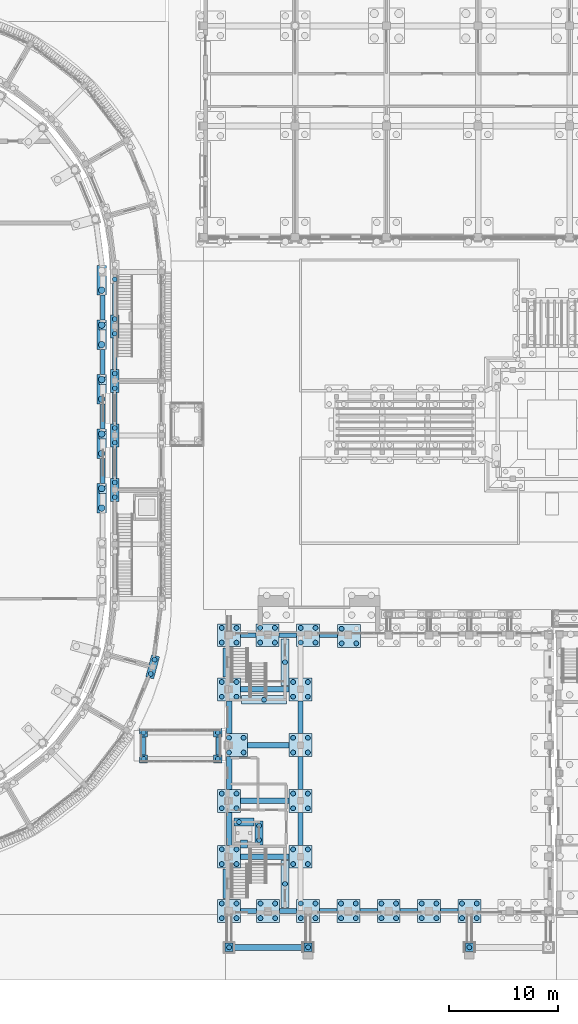
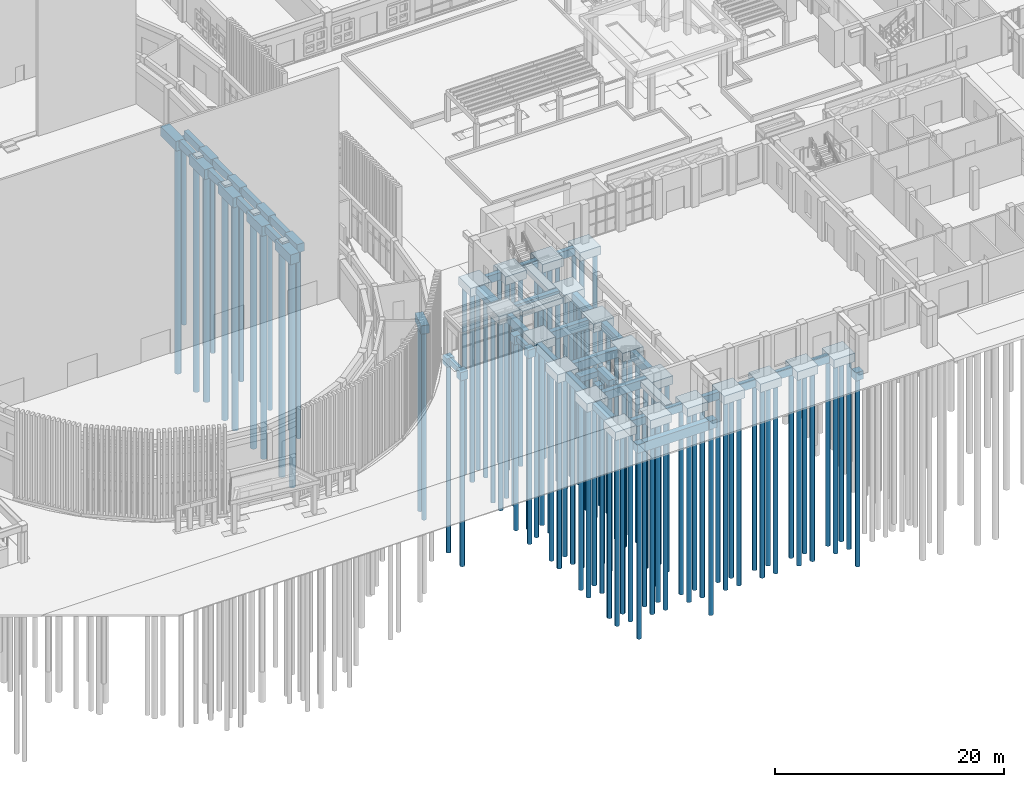
# One storey, part 3 of 112: 108 piles, 78 footings.
"""IFC4 building model written with IfcOpenShell, lengths in metres."""

from ifc_helpers import new_model, si_unit, direction, frame, origin, origin_2d, place, context, subcontext, project, spatial, rectangle, circle, extrude, material, material_profile, profile_set, type_object, element, save


model = new_model("IFC4")

# Units and contexts
model_context = context("Model", 3, precision=1e-05, world=origin(), true_north=direction((0.0, 1.0)))
body_context = subcontext(model_context, "Body", "Model", "MODEL_VIEW")
ifc_project = project(units=[si_unit("LENGTHUNIT", "METRE"), si_unit("AREAUNIT", "SQUARE_METRE"), si_unit("VOLUMEUNIT", "CUBIC_METRE"), si_unit("PLANEANGLEUNIT", "RADIAN"), si_unit("MASSUNIT", "GRAM", prefix="KILO")], contexts=[model_context])

# Site, building, storey
site_placement = place(None, origin())
site = spatial("IfcSite", under=ifc_project, at=site_placement, CompositionType="ELEMENT")
building_placement = place(site_placement, origin())
building = spatial("IfcBuilding", under=site, at=building_placement, Name="Wasatch Bagh Community Centre", CompositionType="ELEMENT")
storey_placement = place(building_placement, origin())
storey = spatial("IfcBuildingStorey", under=building, at=storey_placement, Name="L00", CompositionType="ELEMENT", Elevation=0.0)

# Footings
ifc_material_1 = material(Name="Concrete C35", Category="concrete")
footing_type_1 = type_object("IfcFootingType", Name="FD-GB-B", PredefinedType="FOOTING_BEAM", material=ifc_material_1)
footing_1_placement = place(storey_placement, frame((68.125, 6.35009765625, -1.0), z_axis=(0.0, 0.0, 1.0), x_axis=(1.0, 0.0, 0.0)))
element("IfcFooting", 1, at=footing_1_placement, inside=storey, type_object=footing_type_1, Name="GB ground beam 44", PredefinedType="FOOTING_BEAM", context=body_context, shape_type="SweptSolid", body=[
    extrude(rectangle(XDim=1.449951171875, YDim=0.449951171875, at=origin_2d()), origin(), (0.0, 0.0, 1.0), 0.800048828125),
])
for number, where, z_axis, x_axis, name in (
    (2, (71.75, 6.35009765625, -1.0), (0.0, 0.0, 1.0), (1.0, 0.0, 0.0), "GB ground beam 45"),
    (3, (75.449951171875, 6.35009765625, -1.0), (0.0, 0.0, 1.0), (1.0, 0.0, 0.0), "GB ground beam 46"),
    (4, (79.14990234375, 6.35009765625, -1.0), (0.0, 0.0, 1.0), (1.0, 0.0, 0.0), "GB ground beam 47"),
    (5, (82.85009765625, 6.35009765625, -1.0), (0.0, 0.0, 1.0), (1.0, 0.0, 0.0), "GB ground beam 48"),
    (6, (86.550048828125, 6.35009765625, -1.0), (0.0, 0.0, 1.0), (1.0, 0.0, 0.0), "GB ground beam 49"),
):
    element("IfcFooting", number, at=place(storey_placement, frame(where, z_axis=z_axis, x_axis=x_axis)), inside=storey, type_object=footing_type_1, Name=name, PredefinedType="FOOTING_BEAM", context=body_context, shape_type="SweptSolid", body=[
        extrude(rectangle(XDim=1.60009765625, YDim=0.449951171875, at=origin_2d()), origin(), (0.0, 0.0, 1.0), 0.800048828125),
    ])
footing_2_placement = place(storey_placement, frame((68.112548828125, 31.64990234375, -1.0), z_axis=(0.0, 0.0, 1.0), x_axis=(1.0, 0.0, 0.0)))
element("IfcFooting", 7, at=footing_2_placement, inside=storey, type_object=footing_type_1, Name="GB ground beam 52", PredefinedType="FOOTING_BEAM", context=body_context, shape_type="SweptSolid", body=[
    extrude(rectangle(XDim=1.425048828125, YDim=0.449951171875, at=origin_2d()), origin(), (0.0, 0.0, 1.0), 0.800048828125),
])
footing_3_placement = place(storey_placement, frame((71.737548828125, 31.64990234375, -1.0), z_axis=(0.0, 0.0, 1.0), x_axis=(-1.0, 0.0, 0.0)))
element("IfcFooting", 8, at=footing_3_placement, inside=storey, type_object=footing_type_1, Name="GB ground beam 53", PredefinedType="FOOTING_BEAM", context=body_context, shape_type="SweptSolid", body=[
    extrude(rectangle(XDim=1.625, YDim=0.449951171875, at=origin_2d()), origin(), (0.0, 0.0, 1.0), 0.800048828125),
])
footing_4_placement = place(storey_placement, frame((75.47509765625, 31.64990234375, -1.0), z_axis=(0.0, 0.0, 1.0), x_axis=(1.0, 0.0, 0.0)))
element("IfcFooting", 9, at=footing_4_placement, inside=storey, type_object=footing_type_1, Name="GB ground beam 54", PredefinedType="FOOTING_BEAM", context=body_context, shape_type="SweptSolid", body=[
    extrude(rectangle(XDim=1.64990234375, YDim=0.449951171875, at=origin_2d()), origin(), (0.0, 0.0, 1.0), 0.800048828125),
])
for number, where, z_axis, x_axis, name in (
    (10, (55.85009765625, 47.5, -1.0), (0.0, 0.0, 1.0), (0.0, 1.0, 0.0), "GB ground beam 78"),
    (11, (55.85009765625, 52.5, -1.0), (0.0, 0.0, 1.0), (0.0, 1.0, 0.0), "GB ground beam 80"),
    (12, (55.85009765625, 57.5, -1.0), (0.0, 0.0, 1.0), (0.0, 1.0, 0.0), "GB ground beam 82"),
    (13, (55.85009765625, 62.5, -1.0), (0.0, 0.0, 1.0), (0.0, 1.0, 0.0), "GB ground beam 84"),
):
    element("IfcFooting", number, at=place(storey_placement, frame(where, z_axis=z_axis, x_axis=x_axis)), inside=storey, type_object=footing_type_1, Name=name, PredefinedType="FOOTING_BEAM", context=body_context, shape_type="SweptSolid", body=[
        extrude(rectangle(XDim=2.89990234375, YDim=0.449951171875, at=origin_2d()), origin(), (0.0, 0.0, 1.0), 0.800048828125),
    ])
for number, where, z_axis, x_axis, name in (
    (14, (54.75, 46.72509765625, -1.0), (0.0, 0.0, 1.0), (0.0, 1.0, 0.0), "GB ground beam 227"),
    (15, (54.75, 51.72509765625, -1.0), (0.0, 0.0, 1.0), (0.0, 1.0, 0.0), "GB ground beam 228"),
    (16, (54.75, 56.72509765625, -1.0), (0.0, 0.0, 1.0), (0.0, 1.0, 0.0), "GB ground beam 229"),
    (17, (54.75, 61.72509765625, -1.0), (0.0, 0.0, 1.0), (0.0, 1.0, 0.0), "GB ground beam 230"),
):
    element("IfcFooting", number, at=place(storey_placement, frame(where, z_axis=z_axis, x_axis=x_axis)), inside=storey, type_object=footing_type_1, Name=name, PredefinedType="FOOTING_BEAM", context=body_context, shape_type="SweptSolid", body=[
        extrude(rectangle(XDim=2.300048828125, YDim=0.449951171875, at=origin_2d()), origin(), (0.0, 0.0, 1.0), 0.800048828125),
    ])
footing_type_2 = type_object("IfcFootingType", Name="FD-GB-C", PredefinedType="FOOTING_BEAM", material=ifc_material_1)
footing_5_placement = place(storey_placement, frame((66.35009765625, 13.8798828125, -1.099853515625), z_axis=(0.0, 0.0, 1.0), x_axis=(0.0, 1.0, 0.0)))
element("IfcFooting", 18, at=footing_5_placement, inside=storey, type_object=footing_type_2, Name="GB ground beam 60", PredefinedType="FOOTING_BEAM", context=body_context, shape_type="SweptSolid", body=[
    extrude(rectangle(XDim=3.02001953125, YDim=0.5, at=origin_2d()), origin(), (0.0, 0.0, 1.0), 0.89990234375),
])
for number, where, z_axis, x_axis, name in (
    (19, (69.625, 11.320068359375, -1.099853515625), (0.0, 0.0, 1.0), (1.0, 0.0, 0.0), "GB ground beam 61"),
    (20, (69.625, 16.43994140625, -1.099853515625), (0.0, 0.0, 1.0), (1.0, 0.0, 0.0), "GB ground beam 62"),
):
    element("IfcFooting", number, at=place(storey_placement, frame(where, z_axis=z_axis, x_axis=x_axis)), inside=storey, type_object=footing_type_2, Name=name, PredefinedType="FOOTING_BEAM", context=body_context, shape_type="SweptSolid", body=[
        extrude(rectangle(XDim=4.449951171875, YDim=0.5, at=origin_2d()), origin(), (0.0, 0.0, 1.0), 0.89990234375),
    ])
footing_6_placement = place(storey_placement, frame((66.35009765625, 19.0, -1.099853515625), z_axis=(0.0, 0.0, 1.0), x_axis=(0.0, 1.0, 0.0)))
element("IfcFooting", 21, at=footing_6_placement, inside=storey, type_object=footing_type_2, Name="GB ground beam 63", PredefinedType="FOOTING_BEAM", context=body_context, shape_type="SweptSolid", body=[
    extrude(rectangle(XDim=3.02001953125, YDim=0.5, at=origin_2d()), origin(), (0.0, 0.0, 1.0), 0.89990234375),
])
footing_7_placement = place(storey_placement, frame((69.625, 26.679931640625, -1.099853515625), z_axis=(0.0, 0.0, 1.0), x_axis=(1.0, 0.0, 0.0)))
element("IfcFooting", 22, at=footing_7_placement, inside=storey, type_object=footing_type_2, Name="GB ground beam 64", PredefinedType="FOOTING_BEAM", context=body_context, shape_type="SweptSolid", body=[
    extrude(rectangle(XDim=4.449951171875, YDim=0.5, at=origin_2d()), origin(), (0.0, 0.0, 1.0), 0.89990234375),
])
for number, where, z_axis, x_axis, name in (
    (23, (66.35009765625, 24.1201171875, -1.099853515625), (0.0, 0.0, 1.0), (0.0, -1.0, 0.0), "GB ground beam 65"),
    (24, (72.89990234375, 13.8798828125, -1.099853515625), (0.0, 0.0, 1.0), (0.0, 1.0, 0.0), "GB ground beam 66"),
    (25, (72.89990234375, 19.0, -1.099853515625), (0.0, 0.0, 1.0), (0.0, 1.0, 0.0), "GB ground beam 67"),
    (26, (72.89990234375, 24.1201171875, -1.099853515625), (0.0, 0.0, 1.0), (0.0, 1.0, 0.0), "GB ground beam 68"),
):
    element("IfcFooting", number, at=place(storey_placement, frame(where, z_axis=z_axis, x_axis=x_axis)), inside=storey, type_object=footing_type_2, Name=name, PredefinedType="FOOTING_BEAM", context=body_context, shape_type="SweptSolid", body=[
        extrude(rectangle(XDim=3.02001953125, YDim=0.5, at=origin_2d()), origin(), (0.0, 0.0, 1.0), 0.89990234375),
    ])
footing_8_placement = place(storey_placement, frame((69.949951171875, 21.56005859375, -1.099853515625), z_axis=(0.0, 0.0, 1.0), x_axis=(-1.0, 0.0, 0.0)))
element("IfcFooting", 27, at=footing_8_placement, inside=storey, type_object=footing_type_2, Name="GB ground beam 69", PredefinedType="FOOTING_BEAM", context=body_context, shape_type="SweptSolid", body=[
    extrude(rectangle(XDim=3.800048828125, YDim=0.5, at=origin_2d()), origin(), (0.0, 0.0, 1.0), 0.89990234375),
])
footing_type_3 = type_object("IfcFootingType", Name="FD-GB-D", PredefinedType="FOOTING_BEAM", material=ifc_material_1)
footing_9_placement = place(storey_placement, frame((69.97509765625, 3.0, -1.199951171875), z_axis=(0.0, 0.0, 1.0), x_axis=(1.0, 0.0, 0.0)))
element("IfcFooting", 28, at=footing_9_placement, inside=storey, type_object=footing_type_3, Name="GB ground beam 10", PredefinedType="FOOTING_BEAM", context=body_context, shape_type="SweptSolid", body=[
    extrude(rectangle(XDim=6.5, YDim=0.550048828125, at=origin_2d()), origin(), (0.0, 0.0, 1.0), 1.0),
])
footing_type_4 = type_object("IfcFootingType", Name="FD-GB-S", PredefinedType="FOOTING_BEAM", material=ifc_material_1)
for number, where, z_axis, x_axis, name in (
    (29, (58.5, 21.5, -0.800048828125), (0.0, 0.0, 1.0), (0.0, 1.0, 0.0), "GB ground beam 262"),
    (30, (65.300048828125, 21.5, -0.800048828125), (0.0, 0.0, 1.0), (0.0, 1.0, 0.0), "GB ground beam 263"),
):
    element("IfcFooting", number, at=place(storey_placement, frame(where, z_axis=z_axis, x_axis=x_axis)), inside=storey, type_object=footing_type_4, Name=name, PredefinedType="FOOTING_BEAM", context=body_context, shape_type="SweptSolid", body=[
        extrude(rectangle(XDim=1.64990234375, YDim=0.35009765625, at=origin_2d()), origin(), (0.0, 0.0, 1.0), 0.60009765625),
    ])

# Piles
ifc_material_2 = material(Name="Concrete C30", Category="concrete")
ifc_material_profile_1 = material_profile(ifc_material_2, circle(Radius=0.22509765625, at=origin_2d()), Name="RC D450")
ifc_profile_set_1 = profile_set([ifc_material_profile_1], Name="Concrete C30")
pile_type_1 = type_object("IfcPileType", Name="FD-P450", PredefinedType="BORED", material=ifc_profile_set_1)
for number, where, z_axis, x_axis, name in (
    (31, (66.35009765625, 3.0, -1.10009765625), (0.0, 0.0, -1.0), (1.0, 0.0, 0.0), "P pile 1.1"),
    (32, (73.60009765625, 3.0, -1.10009765625), (0.0, 0.0, -1.0), (1.0, 0.0, 0.0), "P pile 2.1"),
    (33, (88.39990234375, 3.0, -1.10009765625), (0.0, 0.0, -1.0), (1.0, 0.0, 0.0), "P pile 3.1"),
    (34, (65.675048828125, 5.675048828125, -1.10009765625), (0.0, 0.0, -1.0), (1.0, 0.0, 0.0), "P pile 49.1"),
    (35, (67.02490234375, 5.675048828125, -1.10009765625), (0.0, 0.0, -1.0), (1.0, 0.0, 0.0), "P pile 49.2"),
    (36, (65.675048828125, 7.02490234375, -1.10009765625), (0.0, 0.0, -1.0), (1.0, 0.0, 0.0), "P pile 49.3"),
    (37, (67.02490234375, 7.02490234375, -1.10009765625), (0.0, 0.0, -1.0), (1.0, 0.0, 0.0), "P pile 49.4"),
    (38, (69.22509765625, 5.675048828125, -1.10009765625), (0.0, 0.0, -1.0), (1.0, 0.0, 0.0), "P pile 50.1"),
    (39, (70.574951171875, 5.675048828125, -1.10009765625), (0.0, 0.0, -1.0), (1.0, 0.0, 0.0), "P pile 50.2"),
    (40, (69.22509765625, 7.02490234375, -1.10009765625), (0.0, 0.0, -1.0), (1.0, 0.0, 0.0), "P pile 50.3"),
    (41, (70.574951171875, 7.02490234375, -1.10009765625), (0.0, 0.0, -1.0), (1.0, 0.0, 0.0), "P pile 50.4"),
    (42, (72.925048828125, 5.675048828125, -1.10009765625), (0.0, 0.0, -1.0), (1.0, 0.0, 0.0), "P pile 51.1"),
    (43, (74.27490234375, 5.675048828125, -1.10009765625), (0.0, 0.0, -1.0), (1.0, 0.0, 0.0), "P pile 51.2"),
    (44, (72.925048828125, 7.02490234375, -1.10009765625), (0.0, 0.0, -1.0), (1.0, 0.0, 0.0), "P pile 51.3"),
    (45, (74.27490234375, 7.02490234375, -1.10009765625), (0.0, 0.0, -1.0), (1.0, 0.0, 0.0), "P pile 51.4"),
    (46, (76.625, 5.675048828125, -1.10009765625), (0.0, 0.0, -1.0), (1.0, 0.0, 0.0), "P pile 52.1"),
    (47, (77.97509765625, 5.675048828125, -1.10009765625), (0.0, 0.0, -1.0), (1.0, 0.0, 0.0), "P pile 52.2"),
    (48, (76.625, 7.02490234375, -1.10009765625), (0.0, 0.0, -1.0), (1.0, 0.0, 0.0), "P pile 52.3"),
    (49, (77.97509765625, 7.02490234375, -1.10009765625), (0.0, 0.0, -1.0), (1.0, 0.0, 0.0), "P pile 52.4"),
    (50, (80.324951171875, 5.675048828125, -1.10009765625), (0.0, 0.0, -1.0), (1.0, 0.0, 0.0), "P pile 53.1"),
    (51, (81.675048828125, 5.675048828125, -1.10009765625), (0.0, 0.0, -1.0), (1.0, 0.0, 0.0), "P pile 53.2"),
    (52, (80.324951171875, 7.02490234375, -1.10009765625), (0.0, 0.0, -1.0), (1.0, 0.0, 0.0), "P pile 53.3"),
    (53, (81.675048828125, 7.02490234375, -1.10009765625), (0.0, 0.0, -1.0), (1.0, 0.0, 0.0), "P pile 53.4"),
    (54, (84.02490234375, 5.675048828125, -1.10009765625), (0.0, 0.0, -1.0), (1.0, 0.0, 0.0), "P pile 54.1"),
    (55, (85.375, 5.675048828125, -1.10009765625), (0.0, 0.0, -1.0), (1.0, 0.0, 0.0), "P pile 54.2"),
    (56, (84.02490234375, 7.02490234375, -1.10009765625), (0.0, 0.0, -1.0), (1.0, 0.0, 0.0), "P pile 54.3"),
    (57, (85.375, 7.02490234375, -1.10009765625), (0.0, 0.0, -1.0), (1.0, 0.0, 0.0), "P pile 54.4"),
    (58, (87.72509765625, 5.675048828125, -1.10009765625), (0.0, 0.0, -1.0), (1.0, 0.0, 0.0), "P pile 55.1"),
    (59, (89.074951171875, 5.675048828125, -1.10009765625), (0.0, 0.0, -1.0), (1.0, 0.0, 0.0), "P pile 55.2"),
    (60, (87.72509765625, 7.02490234375, -1.10009765625), (0.0, 0.0, -1.0), (1.0, 0.0, 0.0), "P pile 55.3"),
    (61, (89.074951171875, 7.02490234375, -1.10009765625), (0.0, 0.0, -1.0), (1.0, 0.0, 0.0), "P pile 55.4"),
    (62, (65.675048828125, 10.64501953125, -1.10009765625), (0.0, 0.0, -1.0), (1.0, 0.0, 0.0), "P pile 58.1"),
    (63, (67.02490234375, 10.64501953125, -1.10009765625), (0.0, 0.0, -1.0), (1.0, 0.0, 0.0), "P pile 58.2"),
    (64, (65.675048828125, 11.9951171875, -1.10009765625), (0.0, 0.0, -1.0), (1.0, 0.0, 0.0), "P pile 58.3"),
    (65, (67.02490234375, 11.9951171875, -1.10009765625), (0.0, 0.0, -1.0), (1.0, 0.0, 0.0), "P pile 58.4"),
    (66, (72.22509765625, 10.64501953125, -1.10009765625), (0.0, 0.0, -1.0), (1.0, 0.0, 0.0), "P pile 59.1"),
    (67, (73.574951171875, 10.64501953125, -1.10009765625), (0.0, 0.0, -1.0), (1.0, 0.0, 0.0), "P pile 59.2"),
    (68, (72.22509765625, 11.9951171875, -1.10009765625), (0.0, 0.0, -1.0), (1.0, 0.0, 0.0), "P pile 59.3"),
    (69, (73.574951171875, 11.9951171875, -1.10009765625), (0.0, 0.0, -1.0), (1.0, 0.0, 0.0), "P pile 59.4"),
    (70, (65.675048828125, 15.764892578125, -1.10009765625), (0.0, 0.0, -1.0), (1.0, 0.0, 0.0), "P pile 61.1"),
    (71, (67.02490234375, 15.764892578125, -1.10009765625), (0.0, 0.0, -1.0), (1.0, 0.0, 0.0), "P pile 61.2"),
    (72, (65.675048828125, 17.114990234375, -1.10009765625), (0.0, 0.0, -1.0), (1.0, 0.0, 0.0), "P pile 61.3"),
    (73, (67.02490234375, 17.114990234375, -1.10009765625), (0.0, 0.0, -1.0), (1.0, 0.0, 0.0), "P pile 61.4"),
    (74, (72.22509765625, 15.764892578125, -1.10009765625), (0.0, 0.0, -1.0), (1.0, 0.0, 0.0), "P pile 62.1"),
    (75, (73.574951171875, 15.764892578125, -1.10009765625), (0.0, 0.0, -1.0), (1.0, 0.0, 0.0), "P pile 62.2"),
    (76, (72.22509765625, 17.114990234375, -1.10009765625), (0.0, 0.0, -1.0), (1.0, 0.0, 0.0), "P pile 62.3"),
    (77, (73.574951171875, 17.114990234375, -1.10009765625), (0.0, 0.0, -1.0), (1.0, 0.0, 0.0), "P pile 62.4"),
    (78, (66.324951171875, 20.885009765625, -1.10009765625), (0.0, 0.0, -1.0), (1.0, 0.0, 0.0), "P pile 64.1"),
    (79, (67.675048828125, 20.885009765625, -1.10009765625), (0.0, 0.0, -1.0), (1.0, 0.0, 0.0), "P pile 64.2"),
    (80, (66.324951171875, 22.235107421875, -1.10009765625), (0.0, 0.0, -1.0), (1.0, 0.0, 0.0), "P pile 64.3"),
    (81, (67.675048828125, 22.235107421875, -1.10009765625), (0.0, 0.0, -1.0), (1.0, 0.0, 0.0), "P pile 64.4"),
    (82, (72.22509765625, 20.885009765625, -1.10009765625), (0.0, 0.0, -1.0), (1.0, 0.0, 0.0), "P pile 65.1"),
    (83, (73.574951171875, 20.885009765625, -1.10009765625), (0.0, 0.0, -1.0), (1.0, 0.0, 0.0), "P pile 65.2"),
    (84, (72.22509765625, 22.235107421875, -1.10009765625), (0.0, 0.0, -1.0), (1.0, 0.0, 0.0), "P pile 65.3"),
    (85, (73.574951171875, 22.235107421875, -1.10009765625), (0.0, 0.0, -1.0), (1.0, 0.0, 0.0), "P pile 65.4"),
    (86, (65.675048828125, 26.0048828125, -1.10009765625), (0.0, 0.0, -1.0), (1.0, 0.0, 0.0), "P pile 67.1"),
    (87, (67.02490234375, 26.0048828125, -1.10009765625), (0.0, 0.0, -1.0), (1.0, 0.0, 0.0), "P pile 67.2"),
    (88, (65.675048828125, 27.35498046875, -1.10009765625), (0.0, 0.0, -1.0), (1.0, 0.0, 0.0), "P pile 67.3"),
    (89, (67.02490234375, 27.35498046875, -1.10009765625), (0.0, 0.0, -1.0), (1.0, 0.0, 0.0), "P pile 67.4"),
    (90, (72.22509765625, 26.0048828125, -1.10009765625), (0.0, 0.0, -1.0), (1.0, 0.0, 0.0), "P pile 68.1"),
    (91, (73.574951171875, 26.0048828125, -1.10009765625), (0.0, 0.0, -1.0), (1.0, 0.0, 0.0), "P pile 68.2"),
    (92, (72.22509765625, 27.35498046875, -1.10009765625), (0.0, 0.0, -1.0), (1.0, 0.0, 0.0), "P pile 68.3"),
    (93, (73.574951171875, 27.35498046875, -1.10009765625), (0.0, 0.0, -1.0), (1.0, 0.0, 0.0), "P pile 68.4"),
    (94, (76.675048828125, 30.89990234375, -1.10009765625), (0.0, 0.0, -1.0), (1.0, 0.0, 0.0), "P pile 71.1"),
    (95, (78.02490234375, 30.89990234375, -1.10009765625), (0.0, 0.0, -1.0), (1.0, 0.0, 0.0), "P pile 71.2"),
    (96, (76.675048828125, 32.25, -1.10009765625), (0.0, 0.0, -1.0), (1.0, 0.0, 0.0), "P pile 71.3"),
    (97, (65.675048828125, 30.97509765625, -1.10009765625), (0.0, 0.0, -1.0), (1.0, 0.0, 0.0), "P pile 72.1"),
    (98, (67.02490234375, 30.97509765625, -1.10009765625), (0.0, 0.0, -1.0), (1.0, 0.0, 0.0), "P pile 72.2"),
    (99, (65.675048828125, 32.324951171875, -1.10009765625), (0.0, 0.0, -1.0), (1.0, 0.0, 0.0), "P pile 72.3"),
    (100, (67.02490234375, 32.324951171875, -1.10009765625), (0.0, 0.0, -1.0), (1.0, 0.0, 0.0), "P pile 72.4"),
    (101, (69.199951171875, 30.97509765625, -1.10009765625), (0.0, 0.0, -1.0), (1.0, 0.0, 0.0), "P pile 73.1"),
    (102, (70.550048828125, 30.97509765625, -1.10009765625), (0.0, 0.0, -1.0), (1.0, 0.0, 0.0), "P pile 73.2"),
    (103, (69.199951171875, 32.324951171875, -1.10009765625), (0.0, 0.0, -1.0), (1.0, 0.0, 0.0), "P pile 73.3"),
    (104, (70.550048828125, 32.324951171875, -1.10009765625), (0.0, 0.0, -1.0), (1.0, 0.0, 0.0), "P pile 73.4"),
    (105, (72.925048828125, 30.97509765625, -1.10009765625), (0.0, 0.0, -1.0), (1.0, 0.0, 0.0), "P pile 74.1"),
    (106, (74.27490234375, 30.97509765625, -1.10009765625), (0.0, 0.0, -1.0), (1.0, 0.0, 0.0), "P pile 74.2"),
    (107, (72.925048828125, 32.324951171875, -1.10009765625), (0.0, 0.0, -1.0), (1.0, 0.0, 0.0), "P pile 74.3"),
    (108, (74.27490234375, 32.324951171875, -1.10009765625), (0.0, 0.0, -1.0), (1.0, 0.0, 0.0), "P pile 74.4"),
    (109, (59.15234375, 28.097412109375, -1.10009765625), (0.0, 0.0, -1.0), (1.0, 0.0, 0.0), "P pile 98.1"),
    (110, (59.501708984375, 29.401611328125, -1.10009765625), (0.0, 0.0, -1.0), (1.0, 0.0, 0.0), "P pile 98.2"),
    (111, (55.85009765625, 44.324951171875, -1.10009765625), (0.0, 0.0, -1.0), (1.0, 0.0, 0.0), "P pile 111.1"),
    (112, (55.85009765625, 45.675048828125, -1.10009765625), (0.0, 0.0, -1.0), (1.0, 0.0, 0.0), "P pile 111.2"),
    (113, (55.85009765625, 49.324951171875, -1.10009765625), (0.0, 0.0, -1.0), (1.0, 0.0, 0.0), "P pile 115.1"),
    (114, (55.85009765625, 50.675048828125, -1.10009765625), (0.0, 0.0, -1.0), (1.0, 0.0, 0.0), "P pile 115.2"),
    (115, (55.85009765625, 54.324951171875, -1.10009765625), (0.0, 0.0, -1.0), (1.0, 0.0, 0.0), "P pile 119.1"),
    (116, (55.85009765625, 55.675048828125, -1.10009765625), (0.0, 0.0, -1.0), (1.0, 0.0, 0.0), "P pile 119.2"),
    (117, (55.85009765625, 59.324951171875, -1.10009765625), (0.0, 0.0, -1.0), (1.0, 0.0, 0.0), "P pile 123.1"),
    (118, (55.85009765625, 60.675048828125, -1.10009765625), (0.0, 0.0, -1.0), (1.0, 0.0, 0.0), "P pile 123.2"),
    (119, (55.85009765625, 64.324951171875, -1.10009765625), (0.0, 0.0, -1.0), (1.0, 0.0, 0.0), "P pile 127.1"),
    (120, (58.5, 20.300048828125, -1.10009765625), (0.0, 0.0, -1.0), (1.0, 0.0, 0.0), "P pile 251.1"),
    (121, (65.300048828125, 20.300048828125, -1.10009765625), (0.0, 0.0, -1.0), (1.0, 0.0, 0.0), "P pile 252.1"),
    (122, (58.5, 22.699951171875, -1.10009765625), (0.0, 0.0, -1.0), (1.0, 0.0, 0.0), "P pile 253.1"),
    (123, (65.300048828125, 22.699951171875, -1.10009765625), (0.0, 0.0, -1.0), (1.0, 0.0, 0.0), "P pile 254.1"),
    (124, (69.10009765625, 12.85009765625, -0.800048828125), (0.0, 0.0, -1.0), (1.0, 0.0, 0.0), "P pile SF5.1"),
    (125, (69.10009765625, 14.14990234375, -0.800048828125), (0.0, 0.0, -1.0), (1.0, 0.0, 0.0), "P pile SF5.2"),
    (126, (67.25, 14.5, -0.800048828125), (0.0, 0.0, -1.0), (1.0, 0.0, 0.0), "P pile SF6.1"),
    (127, (71.47509765625, 8.822509765625, -0.800048828125), (0.0, 0.0, -1.0), (1.0, 0.0, 0.0), "P pile SF8.1"),
    (128, (71.47509765625, 29.177490234375, -0.800048828125), (0.0, 0.0, -1.0), (1.0, 0.0, 0.0), "P pile SF9.1"),
    (129, (69.550048828125, 25.72509765625, -0.800048828125), (0.0, 0.0, -1.0), (1.0, 0.0, 0.0), "P pile SF10.1"),
):
    element("IfcPile", number, at=place(storey_placement, frame(where, z_axis=z_axis, x_axis=x_axis)), inside=storey, type_object=pile_type_1, Name=name, PredefinedType="BORED", context=body_context, shape_type="SweptSolid", body=[
        extrude(circle(Radius=0.22509765625, at=origin_2d()), origin(), (0.0, 0.0, 1.0), 20.0),
    ])
ifc_material_profile_2 = material_profile(ifc_material_2, circle(Radius=0.300048828125, at=origin_2d()), Name="RC D600")
ifc_profile_set_2 = profile_set([ifc_material_profile_2], Name="Concrete C30")
pile_type_2 = type_object("IfcPileType", Name="FD-P600", PredefinedType="BORED", material=ifc_profile_set_2)
for number, where, z_axis, x_axis, name in (
    (130, (54.64990234375, 43.324951171875, -1.25), (0.0, 0.0, -1.0), (1.0, 0.0, 0.0), "P pile 227.1"),
    (131, (54.64990234375, 45.125, -1.25), (0.0, 0.0, -1.0), (1.0, 0.0, 0.0), "P pile 227.2"),
    (132, (54.64990234375, 48.324951171875, -1.25), (0.0, 0.0, -1.0), (1.0, 0.0, 0.0), "P pile 229.1"),
    (133, (54.64990234375, 50.125, -1.25), (0.0, 0.0, -1.0), (1.0, 0.0, 0.0), "P pile 229.2"),
    (134, (54.64990234375, 53.324951171875, -1.25), (0.0, 0.0, -1.0), (1.0, 0.0, 0.0), "P pile 231.1"),
    (135, (54.64990234375, 55.125, -1.25), (0.0, 0.0, -1.0), (1.0, 0.0, 0.0), "P pile 231.2"),
    (136, (54.64990234375, 58.324951171875, -1.25), (0.0, 0.0, -1.0), (1.0, 0.0, 0.0), "P pile 233.1"),
    (137, (54.64990234375, 60.125, -1.25), (0.0, 0.0, -1.0), (1.0, 0.0, 0.0), "P pile 233.2"),
    (138, (54.64990234375, 63.324951171875, -1.25), (0.0, 0.0, -1.0), (1.0, 0.0, 0.0), "P pile 235.1"),
):
    element("IfcPile", number, at=place(storey_placement, frame(where, z_axis=z_axis, x_axis=x_axis)), inside=storey, type_object=pile_type_2, Name=name, PredefinedType="BORED", context=body_context, shape_type="SweptSolid", body=[
        extrude(circle(Radius=0.300048828125, at=origin_2d()), origin(), (0.0, 0.0, 1.0), 24.0),
    ])

# Footings
footing_type_5 = type_object("IfcFootingType", Name="FD-PC1", PredefinedType="PILE_CAP", material=ifc_material_2)
for number, where, z_axis, x_axis, name in (
    (139, (66.35009765625, 3.0, -1.099853515625), (0.0, 0.0, 1.0), (1.0, 0.0, 0.0), "PC cap 1"),
    (140, (73.60009765625, 3.0, -1.099853515625), (0.0, 0.0, 1.0), (1.0, 0.0, 0.0), "PC cap 2"),
    (141, (88.39990234375, 3.0, -1.099853515625), (0.0, 0.0, 1.0), (1.0, 0.0, 0.0), "PC cap 3"),
    (142, (58.5, 20.300048828125, -1.099853515625), (0.0, 0.0, 1.0), (1.0, 0.0, 0.0), "PC cap 251"),
    (143, (65.300048828125, 20.300048828125, -1.099853515625), (0.0, 0.0, 1.0), (1.0, 0.0, 0.0), "PC cap 252"),
    (144, (58.5, 22.699951171875, -1.099853515625), (0.0, 0.0, 1.0), (1.0, 0.0, 0.0), "PC cap 253"),
    (145, (65.300048828125, 22.699951171875, -1.099853515625), (0.0, 0.0, 1.0), (1.0, 0.0, 0.0), "PC cap 254"),
):
    element("IfcFooting", number, at=place(storey_placement, frame(where, z_axis=z_axis, x_axis=x_axis)), inside=storey, type_object=footing_type_5, Name=name, PredefinedType="PILE_CAP", context=body_context, shape_type="SweptSolid", body=[
        extrude(rectangle(XDim=0.75, YDim=0.75, at=origin_2d()), origin(), (0.0, 0.0, 1.0), 0.89990234375),
    ])
footing_type_6 = type_object("IfcFootingType", Name="FD-PC2", PredefinedType="PILE_CAP", material=ifc_material_2)
for number, where, z_axis, x_axis, name in (
    (146, (59.3271484375, 28.74951171875, -1.099853515625), (0.0, 0.0, 1.0), (0.258819045086, 0.965925826294, 0.0), "PC cap 98"),
    (147, (55.85009765625, 45.0, -1.099853515625), (0.0, 0.0, 1.0), (0.0, 1.0, 0.0), "PC cap 111"),
    (148, (55.85009765625, 50.0, -1.099853515625), (0.0, 0.0, 1.0), (0.0, 1.0, 0.0), "PC cap 115"),
    (149, (55.85009765625, 55.0, -1.099853515625), (0.0, 0.0, 1.0), (0.0, 1.0, 0.0), "PC cap 119"),
    (150, (55.85009765625, 60.0, -1.099853515625), (0.0, 0.0, 1.0), (0.0, 1.0, 0.0), "PC cap 123"),
):
    element("IfcFooting", number, at=place(storey_placement, frame(where, z_axis=z_axis, x_axis=x_axis)), inside=storey, type_object=footing_type_6, Name=name, PredefinedType="PILE_CAP", context=body_context, shape_type="SweptSolid", body=[
        extrude(rectangle(XDim=2.10009765625, YDim=0.75, at=origin_2d()), origin(), (0.0, 0.0, 1.0), 0.89990234375),
    ])
footing_type_7 = type_object("IfcFootingType", Name="FD-PC3", PredefinedType="PILE_CAP", material=ifc_material_2)
for number, where, z_axis, x_axis, name in (
    (151, (54.64990234375, 44.22509765625, -1.25), (0.0, 0.0, 1.0), (0.0, 1.0, 0.0), "PC cap 227"),
    (152, (54.64990234375, 49.22509765625, -1.25), (0.0, 0.0, 1.0), (0.0, 1.0, 0.0), "PC cap 229"),
    (153, (54.64990234375, 54.22509765625, -1.25), (0.0, 0.0, 1.0), (0.0, 1.0, 0.0), "PC cap 231"),
    (154, (54.64990234375, 59.22509765625, -1.25), (0.0, 0.0, 1.0), (0.0, 1.0, 0.0), "PC cap 233"),
    (155, (54.64990234375, 64.22509765625, -1.25), (0.0, 0.0, 1.0), (0.0, 1.0, 0.0), "PC cap 235"),
):
    element("IfcFooting", number, at=place(storey_placement, frame(where, z_axis=z_axis, x_axis=x_axis)), inside=storey, type_object=footing_type_7, Name=name, PredefinedType="PILE_CAP", context=body_context, shape_type="SweptSolid", body=[
        extrude(rectangle(XDim=2.699951171875, YDim=0.89990234375, at=origin_2d()), origin(), (0.0, 0.0, 1.0), 1.050048828125),
    ])
footing_type_8 = type_object("IfcFootingType", Name="FD-PC4", PredefinedType="PILE_CAP", material=ifc_material_2)
for number, where, z_axis, x_axis, name in (
    (156, (66.35009765625, 6.35009765625, -1.099853515625), (0.0, 0.0, 1.0), (1.0, 0.0, 0.0), "PC cap 49"),
    (157, (69.89990234375, 6.35009765625, -1.099853515625), (0.0, 0.0, 1.0), (1.0, 0.0, 0.0), "PC cap 50"),
    (158, (73.60009765625, 6.35009765625, -1.099853515625), (0.0, 0.0, 1.0), (1.0, 0.0, 0.0), "PC cap 51"),
    (159, (77.300048828125, 6.35009765625, -1.099853515625), (0.0, 0.0, 1.0), (1.0, 0.0, 0.0), "PC cap 52"),
    (160, (81.0, 6.35009765625, -1.099853515625), (0.0, 0.0, 1.0), (1.0, 0.0, 0.0), "PC cap 53"),
    (161, (84.699951171875, 6.35009765625, -1.099853515625), (0.0, 0.0, 1.0), (1.0, 0.0, 0.0), "PC cap 54"),
    (162, (88.39990234375, 6.35009765625, -1.099853515625), (0.0, 0.0, 1.0), (1.0, 0.0, 0.0), "PC cap 55"),
    (163, (66.35009765625, 11.320068359375, -1.099853515625), (0.0, 0.0, 1.0), (1.0, 0.0, 0.0), "PC cap 58"),
    (164, (72.89990234375, 11.320068359375, -1.099853515625), (0.0, 0.0, 1.0), (1.0, 0.0, 0.0), "PC cap 59"),
    (165, (66.35009765625, 16.43994140625, -1.099853515625), (0.0, 0.0, 1.0), (1.0, 0.0, 0.0), "PC cap 61"),
    (166, (72.89990234375, 16.43994140625, -1.099853515625), (0.0, 0.0, 1.0), (1.0, 0.0, 0.0), "PC cap 62"),
    (167, (67.0, 21.56005859375, -1.099853515625), (0.0, 0.0, 1.0), (1.0, 0.0, 0.0), "PC cap 64"),
    (168, (72.89990234375, 21.56005859375, -1.099853515625), (0.0, 0.0, 1.0), (1.0, 0.0, 0.0), "PC cap 65"),
    (169, (66.35009765625, 26.679931640625, -1.099853515625), (0.0, 0.0, 1.0), (1.0, 0.0, 0.0), "PC cap 67"),
    (170, (72.89990234375, 26.679931640625, -1.099853515625), (0.0, 0.0, 1.0), (1.0, 0.0, 0.0), "PC cap 68"),
    (171, (77.35009765625, 31.574951171875, -1.099853515625), (0.0, 0.0, 1.0), (1.0, 0.0, 0.0), "PC cap 71"),
    (172, (66.35009765625, 31.64990234375, -1.099853515625), (0.0, 0.0, 1.0), (1.0, 0.0, 0.0), "PC cap 72"),
    (173, (69.875, 31.64990234375, -1.099853515625), (0.0, 0.0, 1.0), (1.0, 0.0, 0.0), "PC cap 73"),
    (174, (73.60009765625, 31.64990234375, -1.099853515625), (0.0, 0.0, 1.0), (1.0, 0.0, 0.0), "PC cap 74"),
):
    element("IfcFooting", number, at=place(storey_placement, frame(where, z_axis=z_axis, x_axis=x_axis)), inside=storey, type_object=footing_type_8, Name=name, PredefinedType="PILE_CAP", context=body_context, shape_type="SweptSolid", body=[
        extrude(rectangle(XDim=2.10009765625, YDim=2.10009765625, at=origin_2d()), origin(), (0.0, 0.0, 1.0), 0.89990234375),
    ])
footing_type_9 = type_object("IfcFootingType", Name="FD-PD1", PredefinedType="PAD_FOOTING", material=ifc_material_2)
for number, where, z_axis, x_axis, name in (
    (175, (54.75, 45.0, -0.2001953125), (0.0, 0.0, 1.0), (1.0, 0.0, 0.0), "PD pedestal 3"),
    (176, (54.75, 50.0, -0.2001953125), (0.0, 0.0, 1.0), (1.0, 0.0, 0.0), "PD pedestal 4"),
    (177, (54.75, 55.0, -0.2001953125), (0.0, 0.0, 1.0), (1.0, 0.0, 0.0), "PD pedestal 5"),
    (178, (54.75, 60.0, -0.2001953125), (0.0, 0.0, 1.0), (1.0, 0.0, 0.0), "PD pedestal 6"),
):
    element("IfcFooting", number, at=place(storey_placement, frame(where, z_axis=z_axis, x_axis=x_axis)), inside=storey, type_object=footing_type_9, Name=name, PredefinedType="PAD_FOOTING", context=body_context, shape_type="SweptSolid", body=[
        extrude(rectangle(XDim=0.699951171875, YDim=0.699951171875, at=origin_2d()), origin(), (0.0, 0.0, 1.0), 0.199951171875),
    ])
footing_type_10 = type_object("IfcFootingType", Name="FD-SF2", PredefinedType="STRIP_FOOTING", material=ifc_material_2)
for number, where, z_axis, x_axis, name in (
    (179, (66.199951171875, 8.8349609375, -0.849853515625), (0.0, 0.0, 1.0), (0.0, 1.0, 0.0), "SF wall footing 11"),
    (180, (66.199951171875, 29.1650390625, -0.849853515625), (0.0, 0.0, 1.0), (0.0, 1.0, 0.0), "SF wall footing 12"),
):
    element("IfcFooting", number, at=place(storey_placement, frame(where, z_axis=z_axis, x_axis=x_axis)), inside=storey, type_object=footing_type_10, Name=name, PredefinedType="STRIP_FOOTING", context=body_context, shape_type="SweptSolid", body=[
        extrude(rectangle(XDim=2.669921875, YDim=0.85009765625, at=origin_2d()), origin(), (0.0, 0.0, 1.0), 0.64990234375),
    ])
footing_type_11 = type_object("IfcFootingType", Name="FD-SF3", PredefinedType="STRIP_FOOTING", material=ifc_material_2)
footing_10_placement = place(storey_placement, frame((69.10009765625, 13.5, -0.800048828125), z_axis=(0.0, 0.0, 1.0), x_axis=(0.0, 1.0, 0.0)))
element("IfcFooting", 181, at=footing_10_placement, inside=storey, type_object=footing_type_11, Name="SF wall footing 5", PredefinedType="STRIP_FOOTING", context=body_context, shape_type="SweptSolid", body=[
    extrude(rectangle(XDim=2.199951171875, YDim=0.75, at=origin_2d()), origin(), (0.0, 0.0, 1.0), 0.60009765625),
])
footing_11_placement = place(storey_placement, frame((67.71240234375, 14.5, -0.800048828125), z_axis=(0.0, 0.0, 1.0), x_axis=(1.0, 0.0, 0.0)))
element("IfcFooting", 182, at=footing_11_placement, inside=storey, type_object=footing_type_11, Name="SF wall footing 6", PredefinedType="STRIP_FOOTING", context=body_context, shape_type="SweptSolid", body=[
    extrude(rectangle(XDim=1.824951171875, YDim=0.75, at=origin_2d()), origin(), (0.0, 0.0, 1.0), 0.60009765625),
])
footing_12_placement = place(storey_placement, frame((67.71240234375, 12.5, -0.800048828125), z_axis=(0.0, 0.0, 1.0), x_axis=(1.0, 0.0, 0.0)))
element("IfcFooting", 183, at=footing_12_placement, inside=storey, type_object=footing_type_11, Name="SF wall footing 7", PredefinedType="STRIP_FOOTING", context=body_context, shape_type="SweptSolid", body=[
    extrude(rectangle(XDim=0.625, YDim=0.75, at=origin_2d()), origin(), (0.0, 0.0, 1.0), 0.60009765625),
])
for number, where, z_axis, x_axis, name in (
    (184, (71.47509765625, 8.822509765625, -0.800048828125), (0.0, 0.0, 1.0), (0.0, 1.0, 0.0), "SF wall footing 8"),
    (185, (71.47509765625, 29.177490234375, -0.800048828125), (0.0, 0.0, 1.0), (0.0, 1.0, 0.0), "SF wall footing 9"),
):
    element("IfcFooting", number, at=place(storey_placement, frame(where, z_axis=z_axis, x_axis=x_axis)), inside=storey, type_object=footing_type_11, Name=name, PredefinedType="STRIP_FOOTING", context=body_context, shape_type="SweptSolid", body=[
        extrude(rectangle(XDim=4.294921875, YDim=0.75, at=origin_2d()), origin(), (0.0, 0.0, 1.0), 0.60009765625),
    ])
footing_13_placement = place(storey_placement, frame((69.550048828125, 25.72509765625, -0.800048828125), z_axis=(0.0, 0.0, 1.0), x_axis=(1.0, 0.0, 0.0)))
element("IfcFooting", 186, at=footing_13_placement, inside=storey, type_object=footing_type_11, Name="SF wall footing 10", PredefinedType="STRIP_FOOTING", context=body_context, shape_type="SweptSolid", body=[
    extrude(rectangle(XDim=4.10009765625, YDim=0.75, at=origin_2d()), origin(), (0.0, 0.0, 1.0), 0.60009765625),
])

save(model, "model.ifc")
